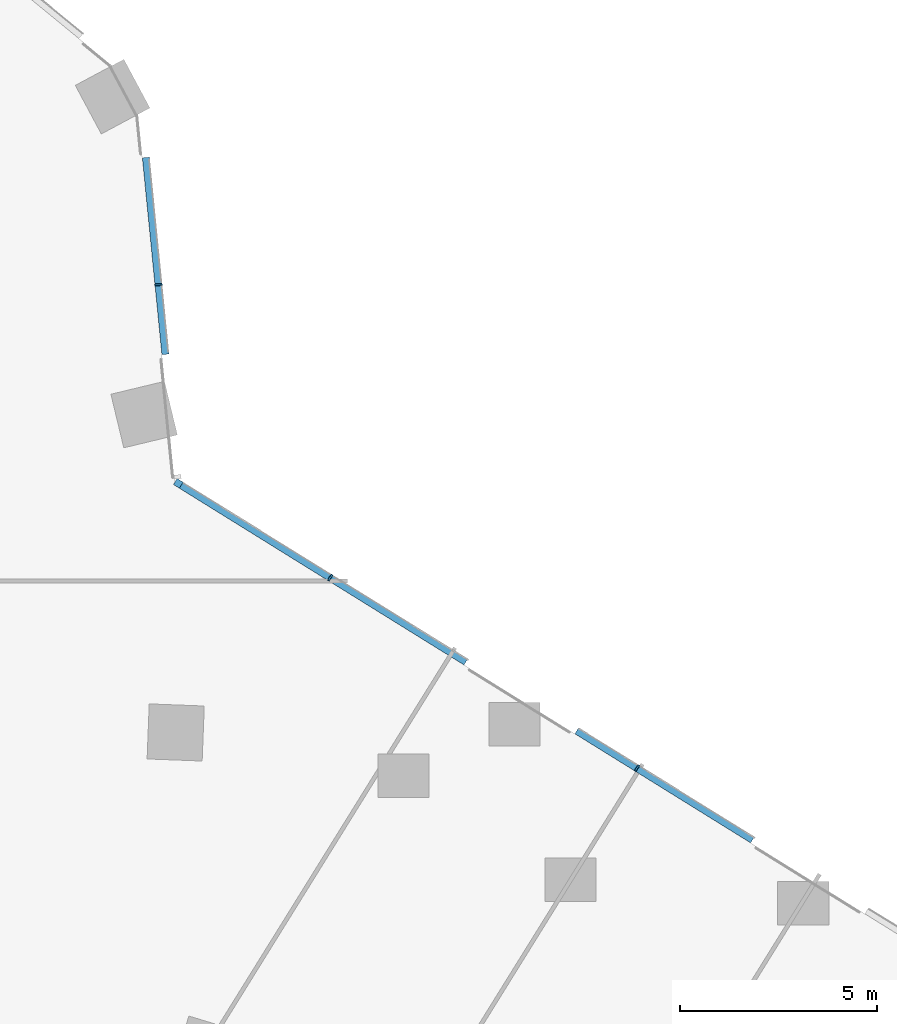
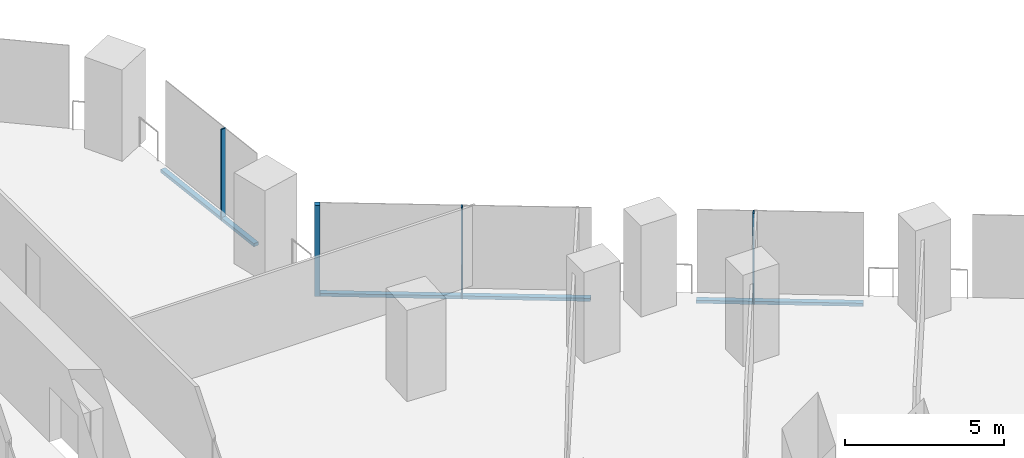
# One storey, part 9 of 34: 7 members, 2 elements without a shape of their own.
"""IFC4 building model written with IfcOpenShell, lengths in metres."""

import ifcopenshell
import ifcopenshell.guid

model = None  # the IFC model being written
_history = None  # IfcOwnerHistory: only IFC2X3 demands one
_inside = {}  # id of a spatial element -> (the spatial element, [elements in it])
_under = {}  # id of a project, library or spatial element -> (it, [spatial elements below it])
_declared = {}  # id of a project -> (the project, [libraries it declares])
_typed = {}  # id of a type object -> (the type object, [elements of that type])
_made_of = {}  # id of a material, layer set ... -> (it, [elements and type objects made of it])


def new_model(schema):
    """Start an empty IFC model of exactly this schema.

    Asked for "IFC4X3", IfcOpenShell would pick the latest addendum, in which some entities
    have other attributes; the version numbers below select the first issue.
    IFC2X3 requires an IfcOwnerHistory on every rooted entity: one is made here for all.
    """
    global model, _history
    if schema == "IFC4X3":
        model = ifcopenshell.file(schema_version=(4, 3, 0, 0))
    else:
        model = ifcopenshell.file(schema=schema)
    _inside.clear()
    _under.clear()
    _declared.clear()
    _typed.clear()
    _made_of.clear()
    _history = None
    if model.schema == "IFC2X3":
        org = make("IfcOrganization", Name="unknown")
        user = make(
            "IfcPersonAndOrganization",
            ThePerson=make("IfcPerson", FamilyName="unknown"),
            TheOrganization=org,
        )
        app = make(
            "IfcApplication",
            ApplicationDeveloper=org,
            Version="unknown",
            ApplicationFullName="unknown",
            ApplicationIdentifier="unknown",
        )
        _history = make(
            "IfcOwnerHistory",
            OwningUser=user,
            OwningApplication=app,
            ChangeAction="ADDED",
            CreationDate=0,
        )
    return model


def make(cls, **values):
    """One entity of the class cls with the attributes given. An attribute that is None is left unset."""
    return model.create_entity(
        cls, **{name: value for name, value in values.items() if value is not None}
    )


def rooted(cls, **values):
    """An entity with a GlobalId (a new one), such as an element, a storey or a relation."""
    return make(cls, GlobalId=ifcopenshell.guid.new(), OwnerHistory=_history, **values)


def si_unit(unit_type, name, prefix=None):
    """IfcSIUnit, for example si_unit("LENGTHUNIT", "METRE", prefix="MILLI")."""
    return make("IfcSIUnit", UnitType=unit_type, Prefix=prefix, Name=name)


def assignment(units):
    """IfcUnitAssignment: the units of a project."""
    return None if units is None else make("IfcUnitAssignment", Units=units)


def point(xyz):
    """IfcCartesianPoint."""
    return None if xyz is None else make("IfcCartesianPoint", Coordinates=xyz)


def direction(xyz):
    """IfcDirection."""
    return None if xyz is None else make("IfcDirection", DirectionRatios=xyz)


def frame(location, z_axis=None, x_axis=None):
    """IfcAxis2Placement3D, a coordinate frame: its origin and axes. An axis left out is left unset."""
    return make(
        "IfcAxis2Placement3D",
        Location=point(location),
        Axis=direction(z_axis),
        RefDirection=direction(x_axis),
    )


def frame_2d(location, x_axis=None):
    """IfcAxis2Placement2D, a coordinate frame in the plane: its origin and x axis."""
    return make(
        "IfcAxis2Placement2D", Location=point(location), RefDirection=direction(x_axis)
    )


def origin():
    """The frame at (0, 0, 0) with its axes left unset."""
    return frame((0.0, 0.0, 0.0))


def origin_2d():
    """The frame at (0, 0) in the plane with its x axis left unset."""
    return frame_2d((0.0, 0.0))


def place(relative_to, where):
    """IfcLocalPlacement: puts the frame where relative to a parent placement (None: the world)."""
    return make(
        "IfcLocalPlacement", PlacementRelTo=relative_to, RelativePlacement=where
    )


def context(
    kind, dimensions, precision=None, world=None, true_north=None, identifier=None
):
    """IfcGeometricRepresentationContext, for example the 3D "Model" context."""
    return make(
        "IfcGeometricRepresentationContext",
        ContextIdentifier=identifier,
        ContextType=kind,
        CoordinateSpaceDimension=dimensions,
        Precision=precision,
        WorldCoordinateSystem=world,
        TrueNorth=true_north,
    )


def subcontext(parent, identifier, kind, view, scale=None):
    """IfcGeometricRepresentationSubContext, for example "Body" below "Model"."""
    return make(
        "IfcGeometricRepresentationSubContext",
        ContextIdentifier=identifier,
        ContextType=kind,
        ParentContext=parent,
        TargetScale=scale,
        TargetView=view,
    )


def project(units=None, contexts=None):
    """IfcProject with its units and contexts."""
    return rooted(
        "IfcProject",
        Name="project",
        RepresentationContexts=contexts,
        UnitsInContext=assignment(units),
    )


def spatial(cls, under=None, at=None, **own):
    """A site, building, storey or space (cls), placed at a placement, below another one or the project."""
    s = rooted(cls, ObjectPlacement=at, **own)
    if under is not None:
        _under.setdefault(under.id(), (under, []))[1].append(s)
    return s


def profile(cls, at=None, kind="AREA", **sizes):
    """A parametric profile (cls). Its sizes go by their IFC names, for example OverallWidth=200.0."""
    return make(cls, ProfileType=kind, Position=at, **sizes)


def rectangle(**sizes):
    """IfcRectangleProfileDef."""
    return profile("IfcRectangleProfileDef", **sizes)


def extrude(swept, where, along, depth):
    """IfcExtrudedAreaSolid: the profile swept, set in the frame where, extruded along a direction by depth."""
    return make(
        "IfcExtrudedAreaSolid",
        SweptArea=swept,
        Position=where,
        ExtrudedDirection=direction(along),
        Depth=depth,
    )


def shape(context_of_items, identifier, shape_type, items):
    """IfcShapeRepresentation: the items that make up one representation, for example the "Body"."""
    return make(
        "IfcShapeRepresentation",
        ContextOfItems=context_of_items,
        RepresentationIdentifier=identifier,
        RepresentationType=shape_type,
        Items=items,
    )


def material(Name=None, Category=None):
    """IfcMaterial."""
    return make("IfcMaterial", Name=Name, Category=Category)


def material_profile(
    of_material, cross_section, Name=None, Category=None, Priority=None
):
    """IfcMaterialProfile: a cross section and its material."""
    return make(
        "IfcMaterialProfile",
        Name=Name,
        Material=of_material,
        Profile=cross_section,
        Priority=Priority,
        Category=Category,
    )


def profile_set(profiles, Name=None, composite=None):
    """IfcMaterialProfileSet."""
    return make(
        "IfcMaterialProfileSet",
        Name=Name,
        MaterialProfiles=profiles,
        CompositeProfile=composite,
    )


def made_of(thing, what):
    """Note that an element or type object is made of a material, layer set ...; save() writes the relation."""
    if what is not None:
        _made_of.setdefault(what.id(), (what, []))[1].append(thing)
    return thing


def type_object(cls, material=None, **own):
    """A type object (cls), such as IfcWallType, which elements share."""
    return made_of(rooted(cls, **own), material)


def element(
    cls,
    number,
    at=None,
    inside=None,
    cuts=None,
    type_object=None,
    material=None,
    context=None,
    identifier="Body",
    shape_type=None,
    held_by="IfcProductDefinitionShape",
    body=None,
    shapes=None,
    **own,
):
    """One element of the class cls, such as IfcWall. Its Tag is "e" and its number.

    at: its placement. inside: the storey or other place that contains it. cuts: it is an
    opening in that element (IfcRelVoidsElement). A single representation is given by context,
    identifier, shape_type and body (its items); several are given by shapes. held_by: the class
    of the entity that holds the representations. save() writes the other relations.
    """
    e = rooted(cls, Tag="e%d" % number, ObjectPlacement=at, **own)
    if body is not None:
        shapes = [shape(context, identifier, shape_type, body)]
    if shapes is not None:
        e.Representation = make(held_by, Representations=shapes)
    if inside is not None:
        _inside.setdefault(inside.id(), (inside, []))[1].append(e)
    if cuts is not None:
        rooted(
            "IfcRelVoidsElement", RelatingBuildingElement=cuts, RelatedOpeningElement=e
        )
    if type_object is not None:
        _typed.setdefault(type_object.id(), (type_object, []))[1].append(e)
    return made_of(e, material)


def aggregate(whole, parts):
    """IfcRelAggregates: a whole, such as a stair, and the parts it consists of."""
    return rooted("IfcRelAggregates", RelatingObject=whole, RelatedObjects=parts)


def save(model, path):
    """Write the relations noted so far, then the file.

    IfcRelAggregates (storeys below a building ...), IfcRelContainedInSpatialStructure (elements
    in a storey), IfcRelDefinesByType, IfcRelAssociatesMaterial and IfcRelDeclares: one each for
    every whole, place, type object, material and project.
    """
    for whole, parts in _under.values():
        aggregate(whole, parts)
    for where, things in _inside.values():
        rooted(
            "IfcRelContainedInSpatialStructure",
            RelatedElements=things,
            RelatingStructure=where,
        )
    for kind, things in _typed.values():
        rooted("IfcRelDefinesByType", RelatedObjects=things, RelatingType=kind)
    for what, things in _made_of.values():
        rooted("IfcRelAssociatesMaterial", RelatedObjects=things, RelatingMaterial=what)
    for by, libraries in _declared.values():
        rooted("IfcRelDeclares", RelatingContext=by, RelatedDefinitions=libraries)
    model.write(path)


model = new_model("IFC4")

# Units and contexts
model_context = context("Model", 3, precision=1e-05, world=origin(), true_north=direction((0.0, 1.0)))
body_context = subcontext(model_context, "Body", "Model", "MODEL_VIEW")
ifc_project = project(units=[si_unit("LENGTHUNIT", "METRE"), si_unit("AREAUNIT", "SQUARE_METRE"), si_unit("VOLUMEUNIT", "CUBIC_METRE"), si_unit("PLANEANGLEUNIT", "RADIAN"), si_unit("MASSUNIT", "GRAM", prefix="KILO")], contexts=[model_context])

# Site, building, storey
site_placement = place(None, origin())
site = spatial("IfcSite", under=ifc_project, at=site_placement, CompositionType="ELEMENT")
building_placement = place(site_placement, origin())
building = spatial("IfcBuilding", under=site, at=building_placement, Name="Orlundy Tower", CompositionType="ELEMENT")
storey_placement = place(building_placement, frame((0.0, 0.0, 37.300048828125)))
storey = spatial("IfcBuildingStorey", under=building, at=storey_placement, Name="L07", CompositionType="ELEMENT", Elevation=37.300048828125)

# Curtain wall, member
ifc_material_1 = material(Name="Aluminium bronze anodised", Category="aluminium")
curtain_wall_type = type_object("IfcCurtainWallType", Name="CW1 wall", PredefinedType="NOTDEFINED", material=ifc_material_1)
curtain_wall_1_placement = place(storey_placement, origin())
curtain_wall_1 = element("IfcCurtainWall", 1, at=curtain_wall_1_placement, inside=storey, type_object=curtain_wall_type, Name="CW1 run 06", PredefinedType="NOTDEFINED")
ifc_material_2 = material(Name="Aluminium bronze anodised", Category="aluminium")
ifc_material_profile_1 = material_profile(ifc_material_2, rectangle(XDim=0.179931640625, YDim=0.179931640625, at=origin_2d()), Name="CW1 corner post 180x180")
ifc_profile_set_1 = profile_set([ifc_material_profile_1], Name="Aluminium bronze anodised")
member_type_1 = type_object("IfcMemberType", Name="CW1 corner post 180x180", PredefinedType="MULLION", material=ifc_profile_set_1)
member_1_placement = place(storey_placement, frame((29.72216796875, 5.194091796875, -0.420166015625), z_axis=(0.0, 0.0, 1.0), x_axis=(0.527453271529, 0.849584043137, 0.0)))
member_1 = element("IfcMember", 2, at=member_1_placement, type_object=member_type_1, Name="CW1 mullion 26", PredefinedType="MULLION", context=body_context, shape_type="SweptSolid", body=[
    extrude(rectangle(XDim=0.179931640625, YDim=0.179931640625, at=origin_2d()), origin(), (0.0, 0.0, 1.0), 3.5),
])

curtain_wall_2_placement = place(storey_placement, origin())
curtain_wall_2 = element("IfcCurtainWall", 3, at=curtain_wall_2_placement, inside=storey, type_object=curtain_wall_type, Name="CW1 run 05", PredefinedType="NOTDEFINED")
ifc_material_3 = material(Name="Aluminium bronze anodised", Category="aluminium")
ifc_material_profile_2 = material_profile(ifc_material_3, rectangle(XDim=0.179931640625, YDim=0.050048828125, at=origin_2d()), Name="CW1 mullion 50x180")
ifc_profile_set_2 = profile_set([ifc_material_profile_2], Name="Aluminium bronze anodised")
member_type_2 = type_object("IfcMemberType", Name="CW1 mullion 50x180", PredefinedType="MULLION", material=ifc_profile_set_2)
member_2_placement = place(storey_placement, frame((29.220947265625, 10.243408203125, -0.420166015625), z_axis=(0.0, 0.0, 1.0), x_axis=(0.995111383815, 0.098758968204, 0.0)))
member_2 = element("IfcMember", 4, at=member_2_placement, type_object=member_type_2, Name="CW1 mullion 25", PredefinedType="MULLION", context=body_context, shape_type="SweptSolid", body=[
    extrude(rectangle(XDim=0.179931640625, YDim=0.050048828125, at=origin_2d()), origin(), (0.0, 0.0, 1.0), 3.5),
])

# Member
member_3_placement = place(storey_placement, frame((33.5830078125, 2.797119140625, -0.420166015625), z_axis=(0.0, 0.0, 1.0), x_axis=(0.527453271529, 0.849584043137, 0.0)))
member_3 = element("IfcMember", 5, at=member_3_placement, type_object=member_type_2, Name="CW1 mullion 27", PredefinedType="MULLION", context=body_context, shape_type="SweptSolid", body=[
    extrude(rectangle(XDim=0.179931640625, YDim=0.050048828125, at=origin_2d()), origin(), (0.0, 0.0, 1.0), 3.5),
])

member_4_placement = place(storey_placement, frame((41.3798828125, -2.04345703125, -0.420166015625), z_axis=(0.0, 0.0, 1.0), x_axis=(0.527453271529, 0.849584043137, 0.0)))
member_4 = element("IfcMember", 6, at=member_4_placement, type_object=member_type_2, Name="CW1 mullion 29", PredefinedType="MULLION", context=body_context, shape_type="SweptSolid", body=[
    extrude(rectangle(XDim=0.179931640625, YDim=0.050048828125, at=origin_2d()), origin(), (0.0, 0.0, 1.0), 3.5),
])

ifc_material_4 = material(Name="Aluminium bronze anodised", Category="aluminium")
ifc_material_profile_3 = material_profile(ifc_material_4, rectangle(XDim=0.179931640625, YDim=0.1201171875, at=origin_2d()), Name="CW1 transom 180x120")
ifc_profile_set_3 = profile_set([ifc_material_profile_3], Name="Aluminium bronze anodised")
member_type_3 = type_object("IfcMemberType", Name="CW1 transom 180x120", PredefinedType="USERDEFINED", material=ifc_profile_set_3)
member_5_placement = place(storey_placement, frame((28.900390625, 13.475341796875, -0.360107421875), z_axis=(0.098734329616, -0.995113828743, 0.0), x_axis=(0.995113828743, 0.098734329616, 0.0)))
member_5 = element("IfcMember", 7, at=member_5_placement, type_object=member_type_3, Name="CW1 transom", ObjectType="TRANSOM", PredefinedType="USERDEFINED", context=body_context, shape_type="SweptSolid", body=[
    extrude(rectangle(XDim=0.179931640625, YDim=0.1201171875, at=origin_2d()), origin(), (0.0, 0.0, 1.0), 5.027099609375),
])

aggregate(curtain_wall_2, [member_2, member_5])

member_6_placement = place(storey_placement, frame((29.798583984375, 5.146484375, -0.360107421875), z_axis=(0.849594517745, -0.527436399406, 0.0), x_axis=(0.527436399406, 0.849594517745, 0.0)))
member_6 = element("IfcMember", 8, at=member_6_placement, type_object=member_type_3, Name="CW1 transom", ObjectType="TRANSOM", PredefinedType="USERDEFINED", context=body_context, shape_type="SweptSolid", body=[
    extrude(rectangle(XDim=0.179931640625, YDim=0.1201171875, at=origin_2d()), origin(), (0.0, 0.0, 1.0), 8.511962890625),
])

member_7_placement = place(storey_placement, frame((39.849853515625, -1.093505859375, -0.360107421875), z_axis=(0.849579133529, -0.527461179494, 0.0), x_axis=(0.527461179494, 0.849579133529, 0.0)))
member_7 = element("IfcMember", 9, at=member_7_placement, type_object=member_type_3, Name="CW1 transom", ObjectType="TRANSOM", PredefinedType="USERDEFINED", context=body_context, shape_type="SweptSolid", body=[
    extrude(rectangle(XDim=0.179931640625, YDim=0.1201171875, at=origin_2d()), origin(), (0.0, 0.0, 1.0), 5.25390625),
])

aggregate(curtain_wall_1, [member_1, member_3, member_4, member_6, member_7])

save(model, "model.ifc")
